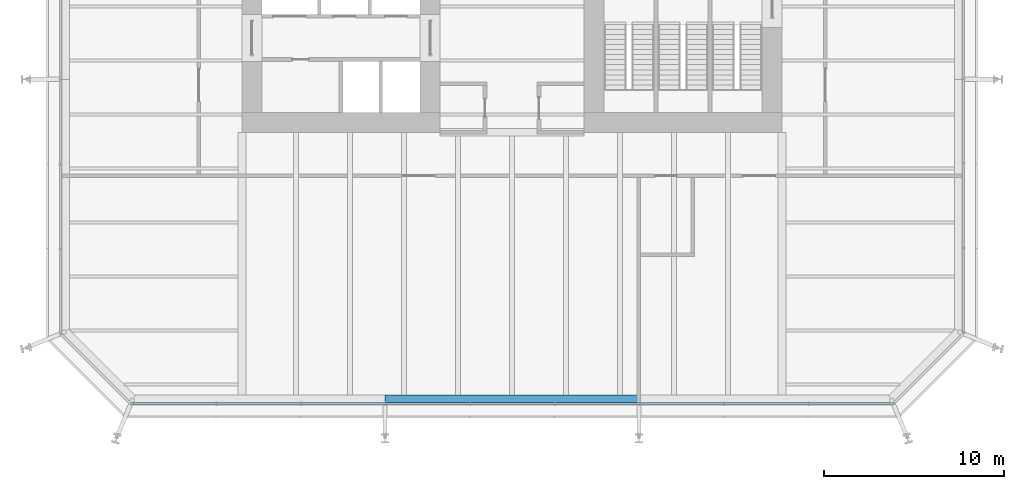
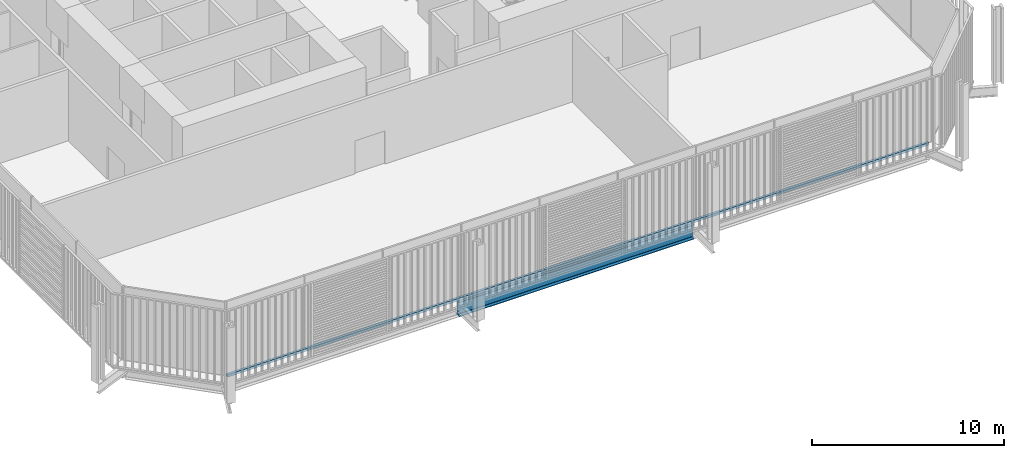
# One storey, part 3 of 22: 1 beam, 1 member, 1 element without a shape of its own.
"""IFC4 building model written with IfcOpenShell, lengths in metres."""

from ifc_helpers import new_model, si_unit, direction, frame, origin, origin_2d, place, context, subcontext, project, spatial, rectangle, i_section, extrude, material, layer, layer_set, material_profile, profile_set, type_object, element, aggregate, save


model = new_model("IFC4")

# Units and contexts
model_context = context("Model", 3, precision=1e-05, world=origin(), true_north=direction((0.0, 1.0)))
body_context = subcontext(model_context, "Body", "Model", "MODEL_VIEW")
ifc_project = project(units=[si_unit("LENGTHUNIT", "METRE"), si_unit("AREAUNIT", "SQUARE_METRE"), si_unit("VOLUMEUNIT", "CUBIC_METRE"), si_unit("PLANEANGLEUNIT", "RADIAN"), si_unit("MASSUNIT", "GRAM", prefix="KILO")], contexts=[model_context])

# Site, building, storey
site_placement = place(None, origin())
site = spatial("IfcSite", under=ifc_project, at=site_placement, CompositionType="ELEMENT")
building_placement = place(site_placement, origin())
building = spatial("IfcBuilding", under=site, at=building_placement, Name="Millrace Tower", CompositionType="ELEMENT")
storey_placement = place(building_placement, frame((0.0, 0.0, 59.300048828125)))
storey = spatial("IfcBuildingStorey", under=building, at=storey_placement, Name="L13", CompositionType="ELEMENT", Elevation=59.300048828125)

# Curtain wall, member
ifc_material_1 = material(Name="Aluminium and glass", Category="aluminium")
ifc_layer = layer(ifc_material_1, 0.14990234375)
ifc_layer_set = layer_set([ifc_layer], Name="Aluminium and glass")
curtain_wall_type = type_object("IfcCurtainWallType", Name="CW-2 data hall insulated curtain wall", PredefinedType="NOTDEFINED", material=ifc_layer_set)
curtain_wall_placement = place(storey_placement, origin())
curtain_wall = element("IfcCurtainWall", 1, at=curtain_wall_placement, inside=storey, type_object=curtain_wall_type, Name="Curtain wall A-F02 L13", PredefinedType="NOTDEFINED")
ifc_material_2 = material(Name="Aluminium", Category="aluminium")
ifc_material_profile_1 = material_profile(ifc_material_2, rectangle(XDim=0.14990234375, YDim=0.159912109375, at=origin_2d()))
ifc_profile_set_1 = profile_set([ifc_material_profile_1], Name="Aluminium")
member_type = type_object("IfcMemberType", Name="CW-2 data hall insulated curtain wall transom", PredefinedType="USERDEFINED", material=ifc_profile_set_1)
member_placement = place(storey_placement, frame((-21.050048828125, -25.074951171875, 0.079833984375), z_axis=(1.0, 0.0, 0.0), x_axis=(0.0, 1.0, 0.0)))
member = element("IfcMember", 2, at=member_placement, type_object=member_type, Name="CW2 transom A-F02.1", ObjectType="TRANSOM", PredefinedType="USERDEFINED", context=body_context, shape_type="SweptSolid", body=[
    extrude(rectangle(XDim=0.14990234375, YDim=0.159912109375, at=origin_2d()), origin(), (0.0, 0.0, 1.0), 42.10009765625),
])
aggregate(curtain_wall, [member])

# Beam
ifc_material_3 = material(Name="Steel ASTM A992 Grade 50", Category="steel")
ifc_material_profile_2 = material_profile(ifc_material_3, i_section(OverallWidth=0.421630859375, OverallDepth=0.937255859375, WebThickness=0.021240234375, FlangeThickness=0.03662109375, FilletRadius=0.024169921875, at=origin_2d()))
ifc_profile_set_2 = profile_set([ifc_material_profile_2], Name="Steel ASTM A992 Grade 50")
beam_type = type_object("IfcBeamType", Name="Ring beam medium span W36x262", PredefinedType="SPANDREL", material=ifc_profile_set_2)
beam_placement = place(storey_placement, frame((7.050048828125, -24.7890625, -0.693603515625), z_axis=(-1.0, 0.0, 0.0), x_axis=(0.0, -1.0, 0.0)))
element("IfcBeam", 3, at=beam_placement, inside=storey, type_object=beam_type, Name="RNG-A-L13-S1-14", PredefinedType="SPANDREL", context=body_context, shape_type="SweptSolid", body=[
    extrude(i_section(OverallWidth=0.421630859375, OverallDepth=0.937255859375, WebThickness=0.021240234375, FlangeThickness=0.03662109375, FilletRadius=0.024169921875, at=origin_2d()), origin(), (0.0, 0.0, 1.0), 14.10009765625),
])

save(model, "model.ifc")
